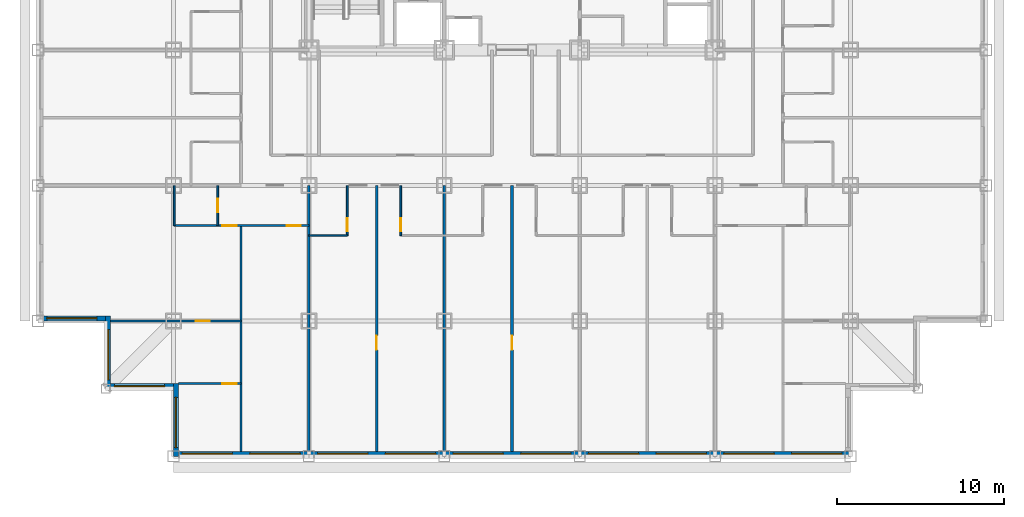
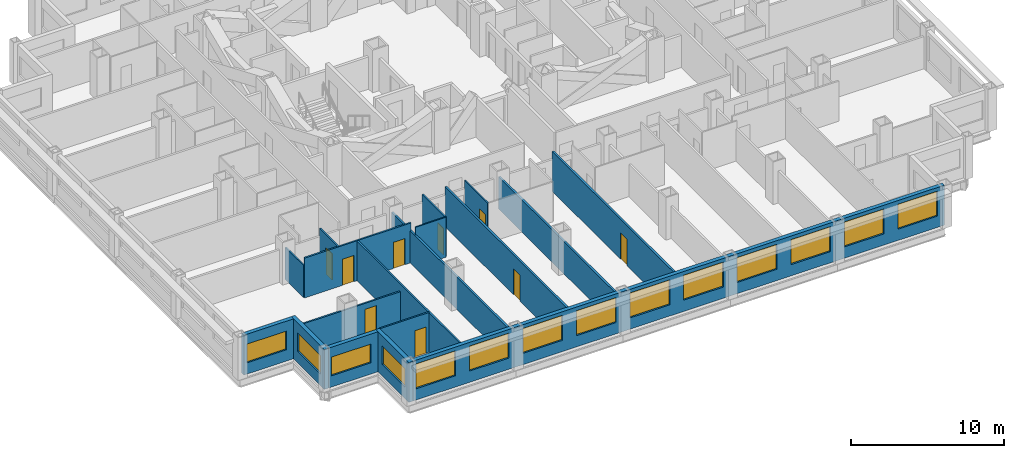
# One storey, part 3 of 12: 18 walls, 14 windows, 9 doors, 23 openings.
"""IFC4 building model written with IfcOpenShell, lengths in metres."""

from ifc_helpers import new_model, si_unit, direction, frame, frame_2d, origin, place, context, subcontext, project, spatial, rectangle, extrude, material, layer, layer_set, type_object, element, fill, save


model = new_model("IFC4")

# Units and contexts
model_context = context("Model", 3, precision=1e-05, world=origin(), true_north=direction((0.0, 1.0)))
body_context = subcontext(model_context, "Body", "Model", "MODEL_VIEW")
ifc_project = project(units=[si_unit("LENGTHUNIT", "METRE"), si_unit("AREAUNIT", "SQUARE_METRE"), si_unit("VOLUMEUNIT", "CUBIC_METRE"), si_unit("PLANEANGLEUNIT", "RADIAN"), si_unit("MASSUNIT", "GRAM", prefix="KILO")], contexts=[model_context])

# Site, building, storey
site_placement = place(None, origin())
site = spatial("IfcSite", under=ifc_project, at=site_placement, CompositionType="ELEMENT")
building_placement = place(site_placement, origin())
building = spatial("IfcBuilding", under=site, at=building_placement, Name="Kopane Lantern Tower", CompositionType="ELEMENT")
storey_placement = place(building_placement, frame((0.0, 0.0, 39.800048828125)))
storey = spatial("IfcBuildingStorey", under=building, at=storey_placement, Name="L08", CompositionType="ELEMENT", Elevation=39.800048828125)

# Wall, openings, doors
ifc_material_1 = material(Name="Gypsum board on steel studs", Category="steel")
ifc_layer_1 = layer(ifc_material_1, 0.1201171875)
ifc_layer_set_1 = layer_set([ifc_layer_1], Name="APARTMENT INTERNAL WALL 120")
wall_type_1 = type_object("IfcWallType", Name="APARTMENT INTERNAL WALL 120", PredefinedType="PARTITIONING", material=ifc_layer_set_1)
wall_1_placement = place(storey_placement, frame((8.14990234375, 13.800048828125, 0.0), z_axis=(0.0, 0.0, 1.0), x_axis=(1.0, 0.0, 0.0)))
wall_1 = element("IfcWall", 1, at=wall_1_placement, inside=storey, type_object=wall_type_1, Name="Apartment Internal Wall 120 L08", PredefinedType="PARTITIONING", context=body_context, shape_type="SweptSolid", body=[
    extrude(rectangle(XDim=8.050048828125, YDim=0.1201171875, at=frame_2d((4.02490234375, 0.0))), origin(), (0.0, 0.0, 1.0), 3.18994140625),
])
opening_1_placement = place(wall_1_placement, frame((6.72509765625, 0.0, 0.0)))
opening_1 = element("IfcOpeningElement", 2, at=opening_1_placement, cuts=wall_1, Name="Opening L08-060", PredefinedType="OPENING", context=body_context, shape_type="SweptSolid", body=[
    extrude(rectangle(XDim=0.85009765625, YDim=2.10009765625, at=frame_2d((0.425048828125, 1.050048828125))), frame((0.0, 0.070068359375, 0.0), z_axis=(0.0, -1.0, 0.0), x_axis=(1.0, 0.0, 0.0)), (0.0, 0.0, 1.0), 0.14013671875),
])
opening_2_placement = place(wall_1_placement, frame((2.875, 0.0, 0.0)))
opening_2 = element("IfcOpeningElement", 3, at=opening_2_placement, cuts=wall_1, Name="Opening L08-062", PredefinedType="OPENING", context=body_context, shape_type="SweptSolid", body=[
    extrude(rectangle(XDim=0.85009765625, YDim=2.10009765625, at=frame_2d((0.425048828125, 1.050048828125))), frame((0.0, 0.070068359375, 0.0), z_axis=(0.0, -1.0, 0.0), x_axis=(1.0, 0.0, 0.0)), (0.0, 0.0, 1.0), 0.14013671875),
])
ifc_material_2 = material(Name="Timber door set", Category="wood")
door_type_1 = type_object("IfcDoorType", Name="DOOR D4 850x2100", OperationType="SINGLE_SWING_LEFT", PredefinedType="DOOR", material=ifc_material_2)
door_1_placement = place(opening_1_placement, origin())
door_1 = element("IfcDoor", 4, at=door_1_placement, inside=storey, type_object=door_type_1, Name="Door L08-060", OperationType="SINGLE_SWING_RIGHT", OverallHeight=2.10009765625, OverallWidth=0.85009765625, PredefinedType="DOOR", context=body_context, shape_type="SweptSolid", body=[
    extrude(rectangle(XDim=0.85009765625, YDim=2.10009765625, at=frame_2d((0.425048828125, 1.050048828125))), frame((0.0, 0.02490234375, 0.0), z_axis=(0.0, -1.0, 0.0), x_axis=(1.0, 0.0, 0.0)), (0.0, 0.0, 1.0), 0.050048828125),
])
fill(opening_1, door_1)
door_2_placement = place(opening_2_placement, origin())
door_2 = element("IfcDoor", 5, at=door_2_placement, inside=storey, type_object=door_type_1, Name="Door L08-062", OperationType="SINGLE_SWING_LEFT", OverallHeight=2.10009765625, OverallWidth=0.85009765625, PredefinedType="DOOR", context=body_context, shape_type="SweptSolid", body=[
    extrude(rectangle(XDim=0.85009765625, YDim=2.10009765625, at=frame_2d((0.425048828125, 1.050048828125))), frame((0.0, 0.02490234375, 0.0), z_axis=(0.0, -1.0, 0.0), x_axis=(1.0, 0.0, 0.0)), (0.0, 0.0, 1.0), 0.050048828125),
])
fill(opening_2, door_2)

# Wall
wall_2_placement = place(storey_placement, frame((12.14990234375, 13.800048828125, 0.0), z_axis=(0.0, 0.0, 1.0), x_axis=(0.0, -1.0, 0.0)))
element("IfcWall", 6, at=wall_2_placement, inside=storey, type_object=wall_type_1, Name="Apartment Internal Wall 120 L08", PredefinedType="PARTITIONING", context=body_context, shape_type="SweptSolid", body=[
    extrude(rectangle(XDim=13.5, YDim=0.1201171875, at=frame_2d((6.75, 0.0))), origin(), (0.0, 0.0, 1.0), 3.18994140625),
])

# Wall, opening, door
wall_3_placement = place(storey_placement, frame((12.14990234375, 8.10009765625, 0.0), z_axis=(0.0, 0.0, 1.0), x_axis=(-1.0, 0.0, 0.0)))
wall_3 = element("IfcWall", 7, at=wall_3_placement, inside=storey, type_object=wall_type_1, Name="Apartment Internal Wall 120 L08", PredefinedType="PARTITIONING", context=body_context, shape_type="SweptSolid", body=[
    extrude(rectangle(XDim=7.7998046875, YDim=0.1201171875, at=frame_2d((3.89990234375, 0.0))), origin(), (0.0, 0.0, 1.0), 2.57763671875),
])
opening_3_placement = place(wall_3_placement, frame((1.875, 0.0, 0.0)))
opening_3 = element("IfcOpeningElement", 8, at=opening_3_placement, cuts=wall_3, Name="Opening L08-063", PredefinedType="OPENING", context=body_context, shape_type="SweptSolid", body=[
    extrude(rectangle(XDim=0.85009765625, YDim=2.10009765625, at=frame_2d((0.425048828125, 1.050048828125))), frame((0.0, 0.070068359375, 0.0), z_axis=(0.0, -1.0, 0.0), x_axis=(1.0, 0.0, 0.0)), (0.0, 0.0, 1.0), 0.14013671875),
])
door_3_placement = place(opening_3_placement, origin())
door_3 = element("IfcDoor", 9, at=door_3_placement, inside=storey, type_object=door_type_1, Name="Door L08-063", OperationType="SINGLE_SWING_LEFT", OverallHeight=2.10009765625, OverallWidth=0.85009765625, PredefinedType="DOOR", context=body_context, shape_type="SweptSolid", body=[
    extrude(rectangle(XDim=0.85009765625, YDim=2.10009765625, at=frame_2d((0.425048828125, 1.050048828125))), frame((0.0, 0.02490234375, 0.0), z_axis=(0.0, -1.0, 0.0), x_axis=(1.0, 0.0, 0.0)), (0.0, 0.0, 1.0), 0.050048828125),
])
fill(opening_3, door_3)

wall_4_placement = place(storey_placement, frame((8.389892578125, 4.35009765625, 0.0), z_axis=(0.0, 0.0, 1.0), x_axis=(1.0, 0.0, 0.0)))
wall_4 = element("IfcWall", 10, at=wall_4_placement, inside=storey, type_object=wall_type_1, Name="Apartment Internal Wall 120 L08", PredefinedType="PARTITIONING", context=body_context, shape_type="SweptSolid", body=[
    extrude(rectangle(XDim=3.760009765625, YDim=0.1201171875, at=frame_2d((1.8798828125, 0.0))), origin(), (0.0, 0.0, 1.0), 3.18994140625),
])
opening_4_placement = place(wall_4_placement, frame((2.635009765625, 0.0, 0.0)))
opening_4 = element("IfcOpeningElement", 11, at=opening_4_placement, cuts=wall_4, Name="Opening L08-075", PredefinedType="OPENING", context=body_context, shape_type="SweptSolid", body=[
    extrude(rectangle(XDim=0.85009765625, YDim=2.10009765625, at=frame_2d((0.425048828125, 1.050048828125))), frame((0.0, 0.070068359375, 0.0), z_axis=(0.0, -1.0, 0.0), x_axis=(1.0, 0.0, 0.0)), (0.0, 0.0, 1.0), 0.14013671875),
])
door_4_placement = place(opening_4_placement, origin())
door_4 = element("IfcDoor", 12, at=door_4_placement, inside=storey, type_object=door_type_1, Name="Door L08-075", OperationType="SINGLE_SWING_RIGHT", OverallHeight=2.10009765625, OverallWidth=0.85009765625, PredefinedType="DOOR", context=body_context, shape_type="SweptSolid", body=[
    extrude(rectangle(XDim=0.85009765625, YDim=2.10009765625, at=frame_2d((0.425048828125, 1.050048828125))), frame((0.0, 0.02490234375, 0.0), z_axis=(0.0, -1.0, 0.0), x_axis=(1.0, 0.0, 0.0)), (0.0, 0.0, 1.0), 0.050048828125),
])
fill(opening_4, door_4)

# Wall
ifc_material_3 = material(Name="Moisture-resistant board on steel studs", Category="steel")
ifc_layer_2 = layer(ifc_material_3, 0.10009765625)
ifc_layer_set_2 = layer_set([ifc_layer_2], Name="BATHROOM WALL 100")
wall_type_2 = type_object("IfcWallType", Name="BATHROOM WALL 100", PredefinedType="PARTITIONING", material=ifc_layer_set_2)
wall_5_placement = place(storey_placement, frame((16.199951171875, 13.199951171875, 0.0), z_axis=(0.0, 0.0, 1.0), x_axis=(1.0, 0.0, 0.0)))
element("IfcWall", 13, at=wall_5_placement, inside=storey, type_object=wall_type_2, Name="Bathroom Wall 100 L08", PredefinedType="PARTITIONING", context=body_context, shape_type="SweptSolid", body=[
    extrude(rectangle(XDim=2.300048828125, YDim=0.10009765625, at=frame_2d((1.14990234375, 0.0))), origin(), (0.0, 0.0, 1.0), 3.18994140625),
])

# Wall, opening, door
wall_6_placement = place(storey_placement, frame((18.5, 16.199951171875, 0.0), z_axis=(0.0, 0.0, 1.0), x_axis=(0.0, -1.0, 0.0)))
wall_6 = element("IfcWall", 14, at=wall_6_placement, inside=storey, type_object=wall_type_2, Name="Bathroom Wall 100 L08", PredefinedType="PARTITIONING", context=body_context, shape_type="SweptSolid", body=[
    extrude(rectangle(XDim=3.0, YDim=0.10009765625, at=frame_2d((1.5, 0.0))), origin(), (0.0, 0.0, 1.0), 3.18994140625),
])
opening_5_placement = place(wall_6_placement, frame((1.949951171875, 0.0, 0.0)))
opening_5 = element("IfcOpeningElement", 15, at=opening_5_placement, cuts=wall_6, Name="Opening L08-009", PredefinedType="OPENING", context=body_context, shape_type="SweptSolid", body=[
    extrude(rectangle(XDim=0.800048828125, YDim=2.10009765625, at=frame_2d((0.39990234375, 1.050048828125))), frame((0.0, 0.06005859375, 0.0), z_axis=(0.0, -1.0, 0.0), x_axis=(1.0, 0.0, 0.0)), (0.0, 0.0, 1.0), 0.1201171875),
])
ifc_material_4 = material(Name="Timber door set", Category="wood")
door_type_2 = type_object("IfcDoorType", Name="DOOR D2 800x2100", OperationType="SINGLE_SWING_LEFT", PredefinedType="DOOR", material=ifc_material_4)
door_5_placement = place(opening_5_placement, origin())
door_5 = element("IfcDoor", 16, at=door_5_placement, inside=storey, type_object=door_type_2, Name="Door L08-009", OperationType="SINGLE_SWING_LEFT", OverallHeight=2.10009765625, OverallWidth=0.800048828125, PredefinedType="DOOR", context=body_context, shape_type="SweptSolid", body=[
    extrude(rectangle(XDim=0.800048828125, YDim=2.10009765625, at=frame_2d((0.39990234375, 1.050048828125))), frame((0.0, 0.02490234375, 0.0), z_axis=(0.0, -1.0, 0.0), x_axis=(1.0, 0.0, 0.0)), (0.0, 0.0, 1.0), 0.050048828125),
])
fill(opening_5, door_5)

wall_7_placement = place(storey_placement, frame((21.699951171875, 16.199951171875, 0.0), z_axis=(0.0, 0.0, 1.0), x_axis=(0.0, -1.0, 0.0)))
wall_7 = element("IfcWall", 17, at=wall_7_placement, inside=storey, type_object=wall_type_2, Name="Bathroom Wall 100 L08", PredefinedType="PARTITIONING", context=body_context, shape_type="SweptSolid", body=[
    extrude(rectangle(XDim=3.0, YDim=0.10009765625, at=frame_2d((1.5, 0.0))), origin(), (0.0, 0.0, 1.0), 3.18994140625),
])
opening_6_placement = place(wall_7_placement, frame((1.949951171875, 0.0, 0.0)))
opening_6 = element("IfcOpeningElement", 18, at=opening_6_placement, cuts=wall_7, Name="Opening L08-011", PredefinedType="OPENING", context=body_context, shape_type="SweptSolid", body=[
    extrude(rectangle(XDim=0.800048828125, YDim=2.10009765625, at=frame_2d((0.39990234375, 1.050048828125))), frame((0.0, 0.06005859375, 0.0), z_axis=(0.0, -1.0, 0.0), x_axis=(1.0, 0.0, 0.0)), (0.0, 0.0, 1.0), 0.1201171875),
])
door_6_placement = place(opening_6_placement, origin())
door_6 = element("IfcDoor", 19, at=door_6_placement, inside=storey, type_object=door_type_2, Name="Door L08-011", OperationType="SINGLE_SWING_RIGHT", OverallHeight=2.10009765625, OverallWidth=0.800048828125, PredefinedType="DOOR", context=body_context, shape_type="SweptSolid", body=[
    extrude(rectangle(XDim=0.800048828125, YDim=2.10009765625, at=frame_2d((0.39990234375, 1.050048828125))), frame((0.0, 0.02490234375, 0.0), z_axis=(0.0, -1.0, 0.0), x_axis=(1.0, 0.0, 0.0)), (0.0, 0.0, 1.0), 0.050048828125),
])
fill(opening_6, door_6)

wall_8_placement = place(storey_placement, frame((10.75, 16.199951171875, 0.0), z_axis=(0.0, 0.0, 1.0), x_axis=(0.0, -1.0, 0.0)))
wall_8 = element("IfcWall", 20, at=wall_8_placement, inside=storey, type_object=wall_type_2, Name="Bathroom Wall 100 L08", PredefinedType="PARTITIONING", context=body_context, shape_type="SweptSolid", body=[
    extrude(rectangle(XDim=2.39990234375, YDim=0.10009765625, at=frame_2d((1.199951171875, 0.0))), origin(), (0.0, 0.0, 1.0), 3.18994140625),
])
opening_7_placement = place(wall_8_placement, frame((0.800048828125, 0.0, 0.0)))
opening_7 = element("IfcOpeningElement", 21, at=opening_7_placement, cuts=wall_8, Name="Opening L08-061", PredefinedType="OPENING", context=body_context, shape_type="SweptSolid", body=[
    extrude(rectangle(XDim=0.800048828125, YDim=2.10009765625, at=frame_2d((0.39990234375, 1.050048828125))), frame((0.0, 0.06005859375, 0.0), z_axis=(0.0, -1.0, 0.0), x_axis=(1.0, 0.0, 0.0)), (0.0, 0.0, 1.0), 0.1201171875),
])
door_7_placement = place(opening_7_placement, origin())
door_7 = element("IfcDoor", 22, at=door_7_placement, inside=storey, type_object=door_type_2, Name="Door L08-061", OperationType="SINGLE_SWING_RIGHT", OverallHeight=2.10009765625, OverallWidth=0.800048828125, PredefinedType="DOOR", context=body_context, shape_type="SweptSolid", body=[
    extrude(rectangle(XDim=0.800048828125, YDim=2.10009765625, at=frame_2d((0.39990234375, 1.050048828125))), frame((0.0, 0.02490234375, 0.0), z_axis=(0.0, -1.0, 0.0), x_axis=(1.0, 0.0, 0.0)), (0.0, 0.0, 1.0), 0.050048828125),
])
fill(opening_7, door_7)

# Wall
wall_9_placement = place(storey_placement, frame((8.14990234375, 16.199951171875, 0.0), z_axis=(0.0, 0.0, 1.0), x_axis=(0.0, -1.0, 0.0)))
element("IfcWall", 23, at=wall_9_placement, inside=storey, type_object=wall_type_2, Name="Bathroom Wall 100 L08", PredefinedType="PARTITIONING", context=body_context, shape_type="SweptSolid", body=[
    extrude(rectangle(XDim=2.39990234375, YDim=0.10009765625, at=frame_2d((1.199951171875, 0.0))), origin(), (0.0, 0.0, 1.0), 2.57763671875),
])

# Wall, opening, door
ifc_material_5 = material(Name="Gypsum board on steel studs", Category="steel")
ifc_layer_3 = layer(ifc_material_5, 0.14990234375)
ifc_layer_set_3 = layer_set([ifc_layer_3], Name="DEMISING WALL 150 EI 60")
wall_type_3 = type_object("IfcWallType", Name="DEMISING WALL 150 EI 60", PredefinedType="PARTITIONING", material=ifc_layer_set_3)
wall_10_placement = place(storey_placement, frame((20.25, 16.199951171875, 0.0), z_axis=(0.0, 0.0, 1.0), x_axis=(0.0, -1.0, 0.0)))
wall_10 = element("IfcWall", 24, at=wall_10_placement, inside=storey, type_object=wall_type_3, Name="Demising Wall 150 Ei 60 L08", PredefinedType="PARTITIONING", context=body_context, shape_type="SweptSolid", body=[
    extrude(rectangle(XDim=15.89990234375, YDim=0.14990234375, at=frame_2d((7.949951171875, 0.0))), origin(), (0.0, 0.0, 1.0), 3.18994140625),
])
opening_8_placement = place(wall_10_placement, frame((8.97509765625, 0.0, 0.0)))
opening_8 = element("IfcOpeningElement", 25, at=opening_8_placement, cuts=wall_10, Name="Opening L08-013", PredefinedType="OPENING", context=body_context, shape_type="SweptSolid", body=[
    extrude(rectangle(XDim=0.85009765625, YDim=2.10009765625, at=frame_2d((0.425048828125, 1.050048828125))), frame((0.0, 0.0849609375, 0.0), z_axis=(0.0, -1.0, 0.0), x_axis=(1.0, 0.0, 0.0)), (0.0, 0.0, 1.0), 0.169921875),
])
ifc_material_6 = material(Name="Steel door set", Category="steel")
door_type_3 = type_object("IfcDoorType", Name="DOOR D11 850x2100 FD30S CONNECTING", OperationType="SINGLE_SWING_LEFT", PredefinedType="DOOR", material=ifc_material_6)
door_8_placement = place(opening_8_placement, origin())
door_8 = element("IfcDoor", 26, at=door_8_placement, inside=storey, type_object=door_type_3, Name="Door L08-013", OperationType="SINGLE_SWING_LEFT", OverallHeight=2.10009765625, OverallWidth=0.85009765625, PredefinedType="DOOR", context=body_context, shape_type="SweptSolid", body=[
    extrude(rectangle(XDim=0.85009765625, YDim=2.10009765625, at=frame_2d((0.425048828125, 1.050048828125))), frame((0.0, 0.02490234375, 0.0), z_axis=(0.0, -1.0, 0.0), x_axis=(1.0, 0.0, 0.0)), (0.0, 0.0, 1.0), 0.050048828125),
])
fill(opening_8, door_8)

# Wall
wall_11_placement = place(storey_placement, frame((24.300048828125, 16.199951171875, 0.0), z_axis=(0.0, 0.0, 1.0), x_axis=(0.0, -1.0, 0.0)))
element("IfcWall", 27, at=wall_11_placement, inside=storey, type_object=wall_type_3, Name="Demising Wall 150 Ei 60 L08", PredefinedType="PARTITIONING", context=body_context, shape_type="SweptSolid", body=[
    extrude(rectangle(XDim=15.89990234375, YDim=0.14990234375, at=frame_2d((7.949951171875, 0.0))), origin(), (0.0, 0.0, 1.0), 2.57763671875),
])

# Wall, opening, door
wall_12_placement = place(storey_placement, frame((28.35009765625, 16.199951171875, 0.0), z_axis=(0.0, 0.0, 1.0), x_axis=(0.0, -1.0, 0.0)))
wall_12 = element("IfcWall", 28, at=wall_12_placement, inside=storey, type_object=wall_type_3, Name="Demising Wall 150 Ei 60 L08", PredefinedType="PARTITIONING", context=body_context, shape_type="SweptSolid", body=[
    extrude(rectangle(XDim=15.89990234375, YDim=0.14990234375, at=frame_2d((7.949951171875, 0.0))), origin(), (0.0, 0.0, 1.0), 3.18994140625),
])
opening_9_placement = place(wall_12_placement, frame((8.97509765625, 0.0, 0.0)))
opening_9 = element("IfcOpeningElement", 29, at=opening_9_placement, cuts=wall_12, Name="Opening L08-018", PredefinedType="OPENING", context=body_context, shape_type="SweptSolid", body=[
    extrude(rectangle(XDim=0.85009765625, YDim=2.10009765625, at=frame_2d((0.425048828125, 1.050048828125))), frame((0.0, 0.0849609375, 0.0), z_axis=(0.0, -1.0, 0.0), x_axis=(1.0, 0.0, 0.0)), (0.0, 0.0, 1.0), 0.169921875),
])
door_9_placement = place(opening_9_placement, origin())
door_9 = element("IfcDoor", 30, at=door_9_placement, inside=storey, type_object=door_type_3, Name="Door L08-018", OperationType="SINGLE_SWING_LEFT", OverallHeight=2.10009765625, OverallWidth=0.85009765625, PredefinedType="DOOR", context=body_context, shape_type="SweptSolid", body=[
    extrude(rectangle(XDim=0.85009765625, YDim=2.10009765625, at=frame_2d((0.425048828125, 1.050048828125))), frame((0.0, 0.02490234375, 0.0), z_axis=(0.0, -1.0, 0.0), x_axis=(1.0, 0.0, 0.0)), (0.0, 0.0, 1.0), 0.050048828125),
])
fill(opening_9, door_9)

# Wall
wall_13_placement = place(storey_placement, frame((16.199951171875, 16.199951171875, 0.0), z_axis=(0.0, 0.0, 1.0), x_axis=(0.0, -1.0, 0.0)))
element("IfcWall", 31, at=wall_13_placement, inside=storey, type_object=wall_type_3, Name="Demising Wall 150 Ei 60 L08", PredefinedType="PARTITIONING", context=body_context, shape_type="SweptSolid", body=[
    extrude(rectangle(XDim=15.89990234375, YDim=0.14990234375, at=frame_2d((7.949951171875, 0.0))), origin(), (0.0, 0.0, 1.0), 2.57763671875),
])

# Wall, openings, windows
ifc_material_7 = material(Name="Terracotta rainscreen on light steel framing", Category="masonry")
ifc_layer_4 = layer(ifc_material_7, 0.300048828125)
ifc_layer_set_4 = layer_set([ifc_layer_4], Name="EXTERNAL WALL EW1 300 TERRACOTTA")
wall_type_4 = type_object("IfcWallType", Name="EXTERNAL WALL EW1 300 TERRACOTTA", PredefinedType="SOLIDWALL", material=ifc_layer_set_4)
wall_14_placement = place(storey_placement, frame((8.39990234375, 0.14990234375, 0.0), z_axis=(0.0, 0.0, 1.0), x_axis=(1.0, 0.0, 0.0)))
wall_14 = element("IfcWall", 32, at=wall_14_placement, inside=storey, type_object=wall_type_4, Name="External wall S L08", PredefinedType="SOLIDWALL", context=body_context, shape_type="SweptSolid", body=[
    extrude(rectangle(XDim=40.2001953125, YDim=0.300048828125, at=frame_2d((20.10009765625, 0.0))), origin(), (0.0, 0.0, 1.0), 3.18994140625),
])
opening_10_placement = place(wall_14_placement, frame((0.22509765625, 0.0, 0.89990234375)))
opening_10 = element("IfcOpeningElement", 33, at=opening_10_placement, cuts=wall_14, Name="Opening WR300200", PredefinedType="OPENING", context=body_context, shape_type="SweptSolid", body=[
    extrude(rectangle(XDim=3.0, YDim=2.0, at=frame_2d((1.5, 1.0))), frame((0.0, 0.159912109375, 0.0), z_axis=(0.0, -1.0, 0.0), x_axis=(1.0, 0.0, 0.0)), (0.0, 0.0, 1.0), 0.320068359375),
])
opening_11_placement = place(wall_14_placement, frame((4.27490234375, 0.0, 0.89990234375)))
opening_11 = element("IfcOpeningElement", 34, at=opening_11_placement, cuts=wall_14, Name="Opening WR300200", PredefinedType="OPENING", context=body_context, shape_type="SweptSolid", body=[
    extrude(rectangle(XDim=3.0, YDim=2.0, at=frame_2d((1.5, 1.0))), frame((0.0, 0.159912109375, 0.0), z_axis=(0.0, -1.0, 0.0), x_axis=(1.0, 0.0, 0.0)), (0.0, 0.0, 1.0), 0.320068359375),
])
opening_12_placement = place(wall_14_placement, frame((8.324951171875, 0.0, 0.89990234375)))
opening_12 = element("IfcOpeningElement", 35, at=opening_12_placement, cuts=wall_14, Name="Opening WR300200", PredefinedType="OPENING", context=body_context, shape_type="SweptSolid", body=[
    extrude(rectangle(XDim=3.0, YDim=2.0, at=frame_2d((1.5, 1.0))), frame((0.0, 0.159912109375, 0.0), z_axis=(0.0, -1.0, 0.0), x_axis=(1.0, 0.0, 0.0)), (0.0, 0.0, 1.0), 0.320068359375),
])
opening_13_placement = place(wall_14_placement, frame((12.375, 0.0, 0.89990234375)))
opening_13 = element("IfcOpeningElement", 36, at=opening_13_placement, cuts=wall_14, Name="Opening WR300200", PredefinedType="OPENING", context=body_context, shape_type="SweptSolid", body=[
    extrude(rectangle(XDim=3.0, YDim=2.0, at=frame_2d((1.5, 1.0))), frame((0.0, 0.159912109375, 0.0), z_axis=(0.0, -1.0, 0.0), x_axis=(1.0, 0.0, 0.0)), (0.0, 0.0, 1.0), 0.320068359375),
])
opening_14_placement = place(wall_14_placement, frame((16.425048828125, 0.0, 0.89990234375)))
opening_14 = element("IfcOpeningElement", 37, at=opening_14_placement, cuts=wall_14, Name="Opening WR300200", PredefinedType="OPENING", context=body_context, shape_type="SweptSolid", body=[
    extrude(rectangle(XDim=3.0, YDim=2.0, at=frame_2d((1.5, 1.0))), frame((0.0, 0.159912109375, 0.0), z_axis=(0.0, -1.0, 0.0), x_axis=(1.0, 0.0, 0.0)), (0.0, 0.0, 1.0), 0.320068359375),
])
opening_15_placement = place(wall_14_placement, frame((20.47509765625, 0.0, 0.89990234375)))
opening_15 = element("IfcOpeningElement", 38, at=opening_15_placement, cuts=wall_14, Name="Opening WR300200", PredefinedType="OPENING", context=body_context, shape_type="SweptSolid", body=[
    extrude(rectangle(XDim=3.0, YDim=2.0, at=frame_2d((1.5, 1.0))), frame((0.0, 0.159912109375, 0.0), z_axis=(0.0, -1.0, 0.0), x_axis=(1.0, 0.0, 0.0)), (0.0, 0.0, 1.0), 0.320068359375),
])
opening_16_placement = place(wall_14_placement, frame((24.52490234375, 0.0, 0.89990234375)))
opening_16 = element("IfcOpeningElement", 39, at=opening_16_placement, cuts=wall_14, Name="Opening WR300200", PredefinedType="OPENING", context=body_context, shape_type="SweptSolid", body=[
    extrude(rectangle(XDim=3.0, YDim=2.0, at=frame_2d((1.5, 1.0))), frame((0.0, 0.159912109375, 0.0), z_axis=(0.0, -1.0, 0.0), x_axis=(1.0, 0.0, 0.0)), (0.0, 0.0, 1.0), 0.320068359375),
])
opening_17_placement = place(wall_14_placement, frame((28.574951171875, 0.0, 0.89990234375)))
opening_17 = element("IfcOpeningElement", 40, at=opening_17_placement, cuts=wall_14, Name="Opening WR300200", PredefinedType="OPENING", context=body_context, shape_type="SweptSolid", body=[
    extrude(rectangle(XDim=3.0, YDim=2.0, at=frame_2d((1.5, 1.0))), frame((0.0, 0.159912109375, 0.0), z_axis=(0.0, -1.0, 0.0), x_axis=(1.0, 0.0, 0.0)), (0.0, 0.0, 1.0), 0.320068359375),
])
opening_18_placement = place(wall_14_placement, frame((32.625, 0.0, 0.89990234375)))
opening_18 = element("IfcOpeningElement", 41, at=opening_18_placement, cuts=wall_14, Name="Opening WR300200", PredefinedType="OPENING", context=body_context, shape_type="SweptSolid", body=[
    extrude(rectangle(XDim=3.0, YDim=2.0, at=frame_2d((1.5, 1.0))), frame((0.0, 0.159912109375, 0.0), z_axis=(0.0, -1.0, 0.0), x_axis=(1.0, 0.0, 0.0)), (0.0, 0.0, 1.0), 0.320068359375),
])
opening_19_placement = place(wall_14_placement, frame((36.675048828125, 0.0, 0.89990234375)))
opening_19 = element("IfcOpeningElement", 42, at=opening_19_placement, cuts=wall_14, Name="Opening WR300200", PredefinedType="OPENING", context=body_context, shape_type="SweptSolid", body=[
    extrude(rectangle(XDim=3.0, YDim=2.0, at=frame_2d((1.5, 1.0))), frame((0.0, 0.159912109375, 0.0), z_axis=(0.0, -1.0, 0.0), x_axis=(1.0, 0.0, 0.0)), (0.0, 0.0, 1.0), 0.320068359375),
])
ifc_material_8 = material(Name="Aluminium and clear glass", Category="aluminium")
window_type_1 = type_object("IfcWindowType", Name="RIBBON WINDOW WR300200 3000x2000", PartitioningType="SINGLE_PANEL", PredefinedType="WINDOW", material=ifc_material_8)
window_1_placement = place(opening_10_placement, origin())
window_1 = element("IfcWindow", 43, at=window_1_placement, inside=storey, type_object=window_type_1, Name="Window S L08", OverallHeight=2.0, OverallWidth=3.0, PartitioningType="SINGLE_PANEL", PredefinedType="WINDOW", context=body_context, shape_type="SweptSolid", body=[
    extrude(rectangle(XDim=3.0, YDim=2.0, at=frame_2d((1.5, 1.0))), frame((0.0, 0.030029296875, 0.0), z_axis=(0.0, -1.0, 0.0), x_axis=(1.0, 0.0, 0.0)), (0.0, 0.0, 1.0), 0.06005859375),
])
fill(opening_10, window_1)
window_2_placement = place(opening_11_placement, origin())
window_2 = element("IfcWindow", 44, at=window_2_placement, inside=storey, type_object=window_type_1, Name="Window S L08", OverallHeight=2.0, OverallWidth=3.0, PartitioningType="SINGLE_PANEL", PredefinedType="WINDOW", context=body_context, shape_type="SweptSolid", body=[
    extrude(rectangle(XDim=3.0, YDim=2.0, at=frame_2d((1.5, 1.0))), frame((0.0, 0.030029296875, 0.0), z_axis=(0.0, -1.0, 0.0), x_axis=(1.0, 0.0, 0.0)), (0.0, 0.0, 1.0), 0.06005859375),
])
fill(opening_11, window_2)
window_3_placement = place(opening_12_placement, origin())
window_3 = element("IfcWindow", 45, at=window_3_placement, inside=storey, type_object=window_type_1, Name="Window S L08", OverallHeight=2.0, OverallWidth=3.0, PartitioningType="SINGLE_PANEL", PredefinedType="WINDOW", context=body_context, shape_type="SweptSolid", body=[
    extrude(rectangle(XDim=3.0, YDim=2.0, at=frame_2d((1.5, 1.0))), frame((0.0, 0.030029296875, 0.0), z_axis=(0.0, -1.0, 0.0), x_axis=(1.0, 0.0, 0.0)), (0.0, 0.0, 1.0), 0.06005859375),
])
fill(opening_12, window_3)
window_4_placement = place(opening_13_placement, origin())
window_4 = element("IfcWindow", 46, at=window_4_placement, inside=storey, type_object=window_type_1, Name="Window S L08", OverallHeight=2.0, OverallWidth=3.0, PartitioningType="SINGLE_PANEL", PredefinedType="WINDOW", context=body_context, shape_type="SweptSolid", body=[
    extrude(rectangle(XDim=3.0, YDim=2.0, at=frame_2d((1.5, 1.0))), frame((0.0, 0.030029296875, 0.0), z_axis=(0.0, -1.0, 0.0), x_axis=(1.0, 0.0, 0.0)), (0.0, 0.0, 1.0), 0.06005859375),
])
fill(opening_13, window_4)
window_5_placement = place(opening_14_placement, origin())
window_5 = element("IfcWindow", 47, at=window_5_placement, inside=storey, type_object=window_type_1, Name="Window S L08", OverallHeight=2.0, OverallWidth=3.0, PartitioningType="SINGLE_PANEL", PredefinedType="WINDOW", context=body_context, shape_type="SweptSolid", body=[
    extrude(rectangle(XDim=3.0, YDim=2.0, at=frame_2d((1.5, 1.0))), frame((0.0, 0.030029296875, 0.0), z_axis=(0.0, -1.0, 0.0), x_axis=(1.0, 0.0, 0.0)), (0.0, 0.0, 1.0), 0.06005859375),
])
fill(opening_14, window_5)
window_6_placement = place(opening_15_placement, origin())
window_6 = element("IfcWindow", 48, at=window_6_placement, inside=storey, type_object=window_type_1, Name="Window S L08", OverallHeight=2.0, OverallWidth=3.0, PartitioningType="SINGLE_PANEL", PredefinedType="WINDOW", context=body_context, shape_type="SweptSolid", body=[
    extrude(rectangle(XDim=3.0, YDim=2.0, at=frame_2d((1.5, 1.0))), frame((0.0, 0.030029296875, 0.0), z_axis=(0.0, -1.0, 0.0), x_axis=(1.0, 0.0, 0.0)), (0.0, 0.0, 1.0), 0.06005859375),
])
fill(opening_15, window_6)
window_7_placement = place(opening_16_placement, origin())
window_7 = element("IfcWindow", 49, at=window_7_placement, inside=storey, type_object=window_type_1, Name="Window S L08", OverallHeight=2.0, OverallWidth=3.0, PartitioningType="SINGLE_PANEL", PredefinedType="WINDOW", context=body_context, shape_type="SweptSolid", body=[
    extrude(rectangle(XDim=3.0, YDim=2.0, at=frame_2d((1.5, 1.0))), frame((0.0, 0.030029296875, 0.0), z_axis=(0.0, -1.0, 0.0), x_axis=(1.0, 0.0, 0.0)), (0.0, 0.0, 1.0), 0.06005859375),
])
fill(opening_16, window_7)
window_8_placement = place(opening_17_placement, origin())
window_8 = element("IfcWindow", 50, at=window_8_placement, inside=storey, type_object=window_type_1, Name="Window S L08", OverallHeight=2.0, OverallWidth=3.0, PartitioningType="SINGLE_PANEL", PredefinedType="WINDOW", context=body_context, shape_type="SweptSolid", body=[
    extrude(rectangle(XDim=3.0, YDim=2.0, at=frame_2d((1.5, 1.0))), frame((0.0, 0.030029296875, 0.0), z_axis=(0.0, -1.0, 0.0), x_axis=(1.0, 0.0, 0.0)), (0.0, 0.0, 1.0), 0.06005859375),
])
fill(opening_17, window_8)
window_9_placement = place(opening_18_placement, origin())
window_9 = element("IfcWindow", 51, at=window_9_placement, inside=storey, type_object=window_type_1, Name="Window S L08", OverallHeight=2.0, OverallWidth=3.0, PartitioningType="SINGLE_PANEL", PredefinedType="WINDOW", context=body_context, shape_type="SweptSolid", body=[
    extrude(rectangle(XDim=3.0, YDim=2.0, at=frame_2d((1.5, 1.0))), frame((0.0, 0.030029296875, 0.0), z_axis=(0.0, -1.0, 0.0), x_axis=(1.0, 0.0, 0.0)), (0.0, 0.0, 1.0), 0.06005859375),
])
fill(opening_18, window_9)
window_10_placement = place(opening_19_placement, origin())
window_10 = element("IfcWindow", 52, at=window_10_placement, inside=storey, type_object=window_type_1, Name="Window S L08", OverallHeight=2.0, OverallWidth=3.0, PartitioningType="SINGLE_PANEL", PredefinedType="WINDOW", context=body_context, shape_type="SweptSolid", body=[
    extrude(rectangle(XDim=3.0, YDim=2.0, at=frame_2d((1.5, 1.0))), frame((0.0, 0.030029296875, 0.0), z_axis=(0.0, -1.0, 0.0), x_axis=(1.0, 0.0, 0.0)), (0.0, 0.0, 1.0), 0.06005859375),
])
fill(opening_19, window_10)

# Wall, opening, window
wall_15_placement = place(storey_placement, frame((0.300048828125, 8.25, 0.0), z_axis=(0.0, 0.0, 1.0), x_axis=(1.0, 0.0, 0.0)))
wall_15 = element("IfcWall", 53, at=wall_15_placement, inside=storey, type_object=wall_type_4, Name="External wall S L08", PredefinedType="SOLIDWALL", context=body_context, shape_type="SweptSolid", body=[
    extrude(rectangle(XDim=3.75, YDim=0.300048828125, at=frame_2d((1.875, 0.0))), origin(), (0.0, 0.0, 1.0), 3.18994140625),
])
opening_20_placement = place(wall_15_placement, frame((0.22509765625, 0.0, 0.89990234375)))
opening_20 = element("IfcOpeningElement", 54, at=opening_20_placement, cuts=wall_15, Name="Opening WR300150", PredefinedType="OPENING", context=body_context, shape_type="SweptSolid", body=[
    extrude(rectangle(XDim=3.0, YDim=1.5, at=frame_2d((1.5, 0.75))), frame((0.0, 0.159912109375, 0.0), z_axis=(0.0, -1.0, 0.0), x_axis=(1.0, 0.0, 0.0)), (0.0, 0.0, 1.0), 0.320068359375),
])
ifc_material_9 = material(Name="Aluminium and clear glass", Category="aluminium")
window_type_2 = type_object("IfcWindowType", Name="RIBBON WINDOW WR300150 3000x1500", PartitioningType="SINGLE_PANEL", PredefinedType="WINDOW", material=ifc_material_9)
window_11_placement = place(opening_20_placement, origin())
window_11 = element("IfcWindow", 55, at=window_11_placement, inside=storey, type_object=window_type_2, Name="Window S L08", OverallHeight=1.5, OverallWidth=3.0, PartitioningType="SINGLE_PANEL", PredefinedType="WINDOW", context=body_context, shape_type="SweptSolid", body=[
    extrude(rectangle(XDim=3.0, YDim=1.5, at=frame_2d((1.5, 0.75))), frame((0.0, 0.030029296875, 0.0), z_axis=(0.0, -1.0, 0.0), x_axis=(1.0, 0.0, 0.0)), (0.0, 0.0, 1.0), 0.06005859375),
])
fill(opening_20, window_11)

wall_16_placement = place(storey_placement, frame((4.199951171875, 8.39990234375, 0.0), z_axis=(0.0, 0.0, 1.0), x_axis=(0.0, -1.0, 0.0)))
wall_16 = element("IfcWall", 56, at=wall_16_placement, inside=storey, type_object=wall_type_4, Name="External wall W L08", PredefinedType="SOLIDWALL", context=body_context, shape_type="SweptSolid", body=[
    extrude(rectangle(XDim=4.349853515625, YDim=0.300048828125, at=frame_2d((2.1748046875, 0.0))), origin(), (0.0, 0.0, 1.0), 3.18994140625),
])
opening_21_placement = place(wall_16_placement, frame((0.824951171875, 0.0, 0.89990234375)))
opening_21 = element("IfcOpeningElement", 57, at=opening_21_placement, cuts=wall_16, Name="Opening WR300150", PredefinedType="OPENING", context=body_context, shape_type="SweptSolid", body=[
    extrude(rectangle(XDim=3.0, YDim=1.5, at=frame_2d((1.5, 0.75))), frame((0.0, 0.159912109375, 0.0), z_axis=(0.0, -1.0, 0.0), x_axis=(1.0, 0.0, 0.0)), (0.0, 0.0, 1.0), 0.320068359375),
])
window_12_placement = place(opening_21_placement, origin())
window_12 = element("IfcWindow", 58, at=window_12_placement, inside=storey, type_object=window_type_2, Name="Window W L08", OverallHeight=1.5, OverallWidth=3.0, PartitioningType="SINGLE_PANEL", PredefinedType="WINDOW", context=body_context, shape_type="SweptSolid", body=[
    extrude(rectangle(XDim=3.0, YDim=1.5, at=frame_2d((1.5, 0.75))), frame((0.0, 0.030029296875, 0.0), z_axis=(0.0, -1.0, 0.0), x_axis=(1.0, 0.0, 0.0)), (0.0, 0.0, 1.0), 0.06005859375),
])
fill(opening_21, window_12)

wall_17_placement = place(storey_placement, frame((4.35009765625, 4.199951171875, 0.0), z_axis=(0.0, 0.0, 1.0), x_axis=(1.0, 0.0, 0.0)))
wall_17 = element("IfcWall", 59, at=wall_17_placement, inside=storey, type_object=wall_type_4, Name="External wall S L08", PredefinedType="SOLIDWALL", context=body_context, shape_type="SweptSolid", body=[
    extrude(rectangle(XDim=3.75, YDim=0.300048828125, at=frame_2d((1.875, 0.0))), origin(), (0.0, 0.0, 1.0), 3.18994140625),
])
opening_22_placement = place(wall_17_placement, frame((0.22509765625, 0.0, 0.89990234375)))
opening_22 = element("IfcOpeningElement", 60, at=opening_22_placement, cuts=wall_17, Name="Opening WR300150", PredefinedType="OPENING", context=body_context, shape_type="SweptSolid", body=[
    extrude(rectangle(XDim=3.0, YDim=1.5, at=frame_2d((1.5, 0.75))), frame((0.0, 0.159912109375, 0.0), z_axis=(0.0, -1.0, 0.0), x_axis=(1.0, 0.0, 0.0)), (0.0, 0.0, 1.0), 0.320068359375),
])
window_13_placement = place(opening_22_placement, origin())
window_13 = element("IfcWindow", 61, at=window_13_placement, inside=storey, type_object=window_type_2, Name="Window S L08", OverallHeight=1.5, OverallWidth=3.0, PartitioningType="SINGLE_PANEL", PredefinedType="WINDOW", context=body_context, shape_type="SweptSolid", body=[
    extrude(rectangle(XDim=3.0, YDim=1.5, at=frame_2d((1.5, 0.75))), frame((0.0, 0.030029296875, 0.0), z_axis=(0.0, -1.0, 0.0), x_axis=(1.0, 0.0, 0.0)), (0.0, 0.0, 1.0), 0.06005859375),
])
fill(opening_22, window_13)

wall_18_placement = place(storey_placement, frame((8.25, 4.35009765625, 0.0), z_axis=(0.0, 0.0, 1.0), x_axis=(0.0, -1.0, 0.0)))
wall_18 = element("IfcWall", 62, at=wall_18_placement, inside=storey, type_object=wall_type_4, Name="External wall W L08", PredefinedType="SOLIDWALL", context=body_context, shape_type="SweptSolid", body=[
    extrude(rectangle(XDim=4.35009765625, YDim=0.300048828125, at=frame_2d((2.175048828125, 0.0))), origin(), (0.0, 0.0, 1.0), 3.18994140625),
])
opening_23_placement = place(wall_18_placement, frame((0.824951171875, 0.0, 0.89990234375)))
opening_23 = element("IfcOpeningElement", 63, at=opening_23_placement, cuts=wall_18, Name="Opening WR300150", PredefinedType="OPENING", context=body_context, shape_type="SweptSolid", body=[
    extrude(rectangle(XDim=3.0, YDim=1.5, at=frame_2d((1.5, 0.75))), frame((0.0, 0.159912109375, 0.0), z_axis=(0.0, -1.0, 0.0), x_axis=(1.0, 0.0, 0.0)), (0.0, 0.0, 1.0), 0.320068359375),
])
window_14_placement = place(opening_23_placement, origin())
window_14 = element("IfcWindow", 64, at=window_14_placement, inside=storey, type_object=window_type_2, Name="Window W L08", OverallHeight=1.5, OverallWidth=3.0, PartitioningType="SINGLE_PANEL", PredefinedType="WINDOW", context=body_context, shape_type="SweptSolid", body=[
    extrude(rectangle(XDim=3.0, YDim=1.5, at=frame_2d((1.5, 0.75))), frame((0.0, 0.030029296875, 0.0), z_axis=(0.0, -1.0, 0.0), x_axis=(1.0, 0.0, 0.0)), (0.0, 0.0, 1.0), 0.06005859375),
])
fill(opening_23, window_14)

save(model, "model.ifc")
